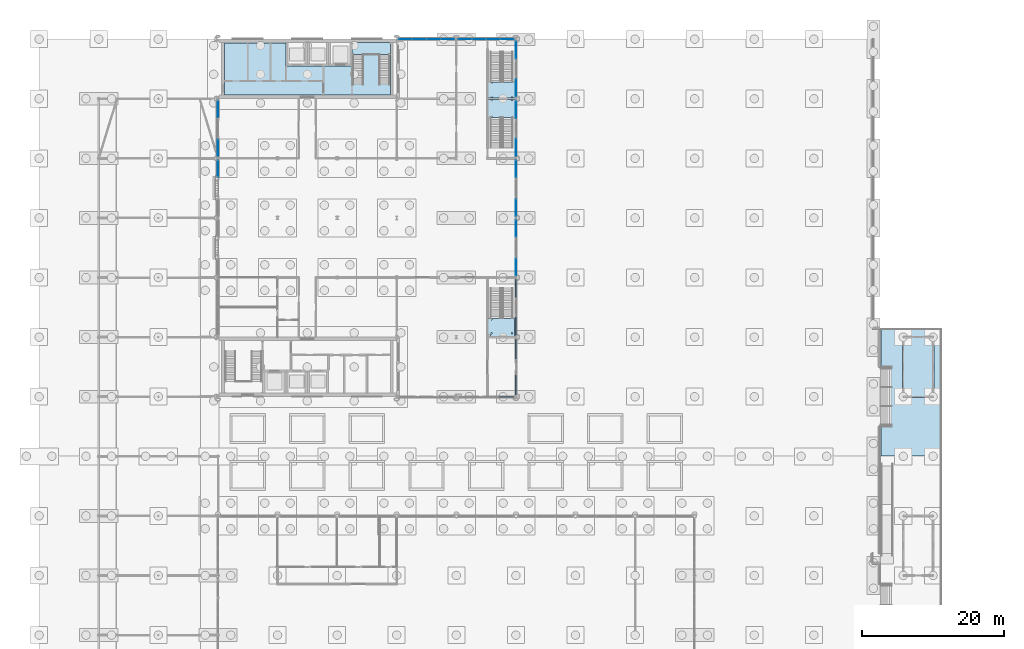
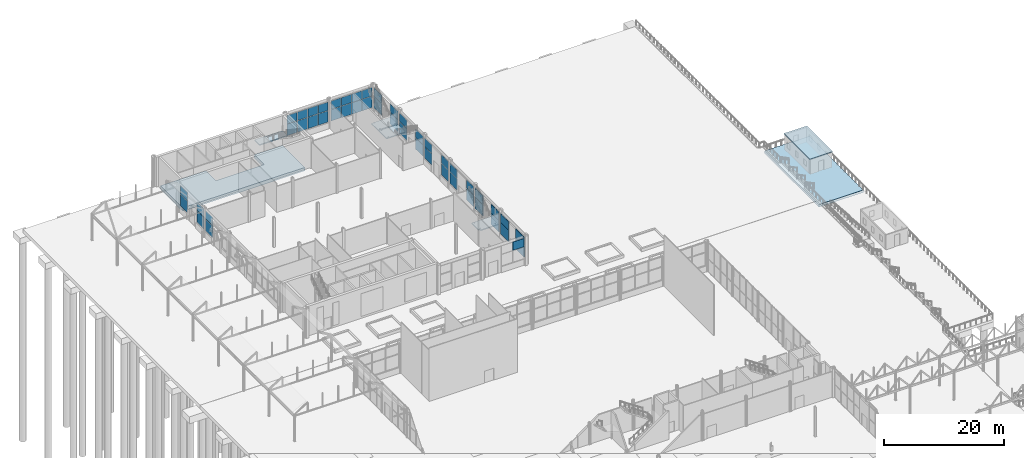
# One storey, part 178 of 212: 47 plates, 7 slabs, 22 elements without a shape of their own.
"""IFC4 building model written with IfcOpenShell, lengths in metres."""

import ifcopenshell
import ifcopenshell.guid

model = None  # the IFC model being written
_history = None  # IfcOwnerHistory: only IFC2X3 demands one
_inside = {}  # id of a spatial element -> (the spatial element, [elements in it])
_under = {}  # id of a project, library or spatial element -> (it, [spatial elements below it])
_declared = {}  # id of a project -> (the project, [libraries it declares])
_typed = {}  # id of a type object -> (the type object, [elements of that type])
_made_of = {}  # id of a material, layer set ... -> (it, [elements and type objects made of it])


def new_model(schema):
    """Start an empty IFC model of exactly this schema.

    Asked for "IFC4X3", IfcOpenShell would pick the latest addendum, in which some entities
    have other attributes; the version numbers below select the first issue.
    IFC2X3 requires an IfcOwnerHistory on every rooted entity: one is made here for all.
    """
    global model, _history
    if schema == "IFC4X3":
        model = ifcopenshell.file(schema_version=(4, 3, 0, 0))
    else:
        model = ifcopenshell.file(schema=schema)
    _inside.clear()
    _under.clear()
    _declared.clear()
    _typed.clear()
    _made_of.clear()
    _history = None
    if model.schema == "IFC2X3":
        org = make("IfcOrganization", Name="unknown")
        user = make(
            "IfcPersonAndOrganization",
            ThePerson=make("IfcPerson", FamilyName="unknown"),
            TheOrganization=org,
        )
        app = make(
            "IfcApplication",
            ApplicationDeveloper=org,
            Version="unknown",
            ApplicationFullName="unknown",
            ApplicationIdentifier="unknown",
        )
        _history = make(
            "IfcOwnerHistory",
            OwningUser=user,
            OwningApplication=app,
            ChangeAction="ADDED",
            CreationDate=0,
        )
    return model


def make(cls, **values):
    """One entity of the class cls with the attributes given. An attribute that is None is left unset."""
    return model.create_entity(
        cls, **{name: value for name, value in values.items() if value is not None}
    )


def rooted(cls, **values):
    """An entity with a GlobalId (a new one), such as an element, a storey or a relation."""
    return make(cls, GlobalId=ifcopenshell.guid.new(), OwnerHistory=_history, **values)


def si_unit(unit_type, name, prefix=None):
    """IfcSIUnit, for example si_unit("LENGTHUNIT", "METRE", prefix="MILLI")."""
    return make("IfcSIUnit", UnitType=unit_type, Prefix=prefix, Name=name)


def assignment(units):
    """IfcUnitAssignment: the units of a project."""
    return None if units is None else make("IfcUnitAssignment", Units=units)


def point(xyz):
    """IfcCartesianPoint."""
    return None if xyz is None else make("IfcCartesianPoint", Coordinates=xyz)


def direction(xyz):
    """IfcDirection."""
    return None if xyz is None else make("IfcDirection", DirectionRatios=xyz)


def frame(location, z_axis=None, x_axis=None):
    """IfcAxis2Placement3D, a coordinate frame: its origin and axes. An axis left out is left unset."""
    return make(
        "IfcAxis2Placement3D",
        Location=point(location),
        Axis=direction(z_axis),
        RefDirection=direction(x_axis),
    )


def frame_2d(location, x_axis=None):
    """IfcAxis2Placement2D, a coordinate frame in the plane: its origin and x axis."""
    return make(
        "IfcAxis2Placement2D", Location=point(location), RefDirection=direction(x_axis)
    )


def origin():
    """The frame at (0, 0, 0) with its axes left unset."""
    return frame((0.0, 0.0, 0.0))


def origin_2d():
    """The frame at (0, 0) in the plane with its x axis left unset."""
    return frame_2d((0.0, 0.0))


def place(relative_to, where):
    """IfcLocalPlacement: puts the frame where relative to a parent placement (None: the world)."""
    return make(
        "IfcLocalPlacement", PlacementRelTo=relative_to, RelativePlacement=where
    )


def context(
    kind, dimensions, precision=None, world=None, true_north=None, identifier=None
):
    """IfcGeometricRepresentationContext, for example the 3D "Model" context."""
    return make(
        "IfcGeometricRepresentationContext",
        ContextIdentifier=identifier,
        ContextType=kind,
        CoordinateSpaceDimension=dimensions,
        Precision=precision,
        WorldCoordinateSystem=world,
        TrueNorth=true_north,
    )


def subcontext(parent, identifier, kind, view, scale=None):
    """IfcGeometricRepresentationSubContext, for example "Body" below "Model"."""
    return make(
        "IfcGeometricRepresentationSubContext",
        ContextIdentifier=identifier,
        ContextType=kind,
        ParentContext=parent,
        TargetScale=scale,
        TargetView=view,
    )


def project(units=None, contexts=None):
    """IfcProject with its units and contexts."""
    return rooted(
        "IfcProject",
        Name="project",
        RepresentationContexts=contexts,
        UnitsInContext=assignment(units),
    )


def spatial(cls, under=None, at=None, **own):
    """A site, building, storey or space (cls), placed at a placement, below another one or the project."""
    s = rooted(cls, ObjectPlacement=at, **own)
    if under is not None:
        _under.setdefault(under.id(), (under, []))[1].append(s)
    return s


def polyline(points):
    """IfcPolyline through the points."""
    return make("IfcPolyline", Points=[point(p) for p in points])


def profile(cls, at=None, kind="AREA", **sizes):
    """A parametric profile (cls). Its sizes go by their IFC names, for example OverallWidth=200.0."""
    return make(cls, ProfileType=kind, Position=at, **sizes)


def rectangle(**sizes):
    """IfcRectangleProfileDef."""
    return profile("IfcRectangleProfileDef", **sizes)


def outline(outer, holes=None, kind="AREA"):
    """IfcArbitraryClosedProfileDef: a profile drawn as a closed curve; with holes, ...WithVoids."""
    if holes is None:
        return make("IfcArbitraryClosedProfileDef", ProfileType=kind, OuterCurve=outer)
    return make(
        "IfcArbitraryProfileDefWithVoids",
        ProfileType=kind,
        OuterCurve=outer,
        InnerCurves=holes,
    )


def extrude(swept, where, along, depth):
    """IfcExtrudedAreaSolid: the profile swept, set in the frame where, extruded along a direction by depth."""
    return make(
        "IfcExtrudedAreaSolid",
        SweptArea=swept,
        Position=where,
        ExtrudedDirection=direction(along),
        Depth=depth,
    )


def shape(context_of_items, identifier, shape_type, items):
    """IfcShapeRepresentation: the items that make up one representation, for example the "Body"."""
    return make(
        "IfcShapeRepresentation",
        ContextOfItems=context_of_items,
        RepresentationIdentifier=identifier,
        RepresentationType=shape_type,
        Items=items,
    )


def material(Name=None, Category=None):
    """IfcMaterial."""
    return make("IfcMaterial", Name=Name, Category=Category)


def layer(
    of_material, thickness, ventilated=None, Name=None, Category=None, Priority=None
):
    """IfcMaterialLayer: one layer of a wall or slab, of a material (None: an air gap)."""
    return make(
        "IfcMaterialLayer",
        Material=of_material,
        LayerThickness=thickness,
        IsVentilated=ventilated,
        Name=Name,
        Category=Category,
        Priority=Priority,
    )


def layer_set(layers, Name=None):
    """IfcMaterialLayerSet."""
    return make("IfcMaterialLayerSet", MaterialLayers=layers, LayerSetName=Name)


def made_of(thing, what):
    """Note that an element or type object is made of a material, layer set ...; save() writes the relation."""
    if what is not None:
        _made_of.setdefault(what.id(), (what, []))[1].append(thing)
    return thing


def type_object(cls, material=None, **own):
    """A type object (cls), such as IfcWallType, which elements share."""
    return made_of(rooted(cls, **own), material)


def element(
    cls,
    number,
    at=None,
    inside=None,
    cuts=None,
    type_object=None,
    material=None,
    context=None,
    identifier="Body",
    shape_type=None,
    held_by="IfcProductDefinitionShape",
    body=None,
    shapes=None,
    **own,
):
    """One element of the class cls, such as IfcWall. Its Tag is "e" and its number.

    at: its placement. inside: the storey or other place that contains it. cuts: it is an
    opening in that element (IfcRelVoidsElement). A single representation is given by context,
    identifier, shape_type and body (its items); several are given by shapes. held_by: the class
    of the entity that holds the representations. save() writes the other relations.
    """
    e = rooted(cls, Tag="e%d" % number, ObjectPlacement=at, **own)
    if body is not None:
        shapes = [shape(context, identifier, shape_type, body)]
    if shapes is not None:
        e.Representation = make(held_by, Representations=shapes)
    if inside is not None:
        _inside.setdefault(inside.id(), (inside, []))[1].append(e)
    if cuts is not None:
        rooted(
            "IfcRelVoidsElement", RelatingBuildingElement=cuts, RelatedOpeningElement=e
        )
    if type_object is not None:
        _typed.setdefault(type_object.id(), (type_object, []))[1].append(e)
    return made_of(e, material)


def aggregate(whole, parts):
    """IfcRelAggregates: a whole, such as a stair, and the parts it consists of."""
    return rooted("IfcRelAggregates", RelatingObject=whole, RelatedObjects=parts)


def save(model, path):
    """Write the relations noted so far, then the file.

    IfcRelAggregates (storeys below a building ...), IfcRelContainedInSpatialStructure (elements
    in a storey), IfcRelDefinesByType, IfcRelAssociatesMaterial and IfcRelDeclares: one each for
    every whole, place, type object, material and project.
    """
    for whole, parts in _under.values():
        aggregate(whole, parts)
    for where, things in _inside.values():
        rooted(
            "IfcRelContainedInSpatialStructure",
            RelatedElements=things,
            RelatingStructure=where,
        )
    for kind, things in _typed.values():
        rooted("IfcRelDefinesByType", RelatedObjects=things, RelatingType=kind)
    for what, things in _made_of.values():
        rooted("IfcRelAssociatesMaterial", RelatedObjects=things, RelatingMaterial=what)
    for by, libraries in _declared.values():
        rooted("IfcRelDeclares", RelatingContext=by, RelatedDefinitions=libraries)
    model.write(path)


model = new_model("IFC4")

# Units and contexts
model_context = context("Model", 3, precision=1e-05, world=origin(), true_north=direction((0.0, 1.0)))
body_context = subcontext(model_context, "Body", "Model", "MODEL_VIEW")
ifc_project = project(units=[si_unit("LENGTHUNIT", "METRE"), si_unit("AREAUNIT", "SQUARE_METRE"), si_unit("VOLUMEUNIT", "CUBIC_METRE"), si_unit("PLANEANGLEUNIT", "RADIAN"), si_unit("MASSUNIT", "GRAM", prefix="KILO")], contexts=[model_context])

# Site, building, storey
site_placement = place(None, origin())
site = spatial("IfcSite", under=ifc_project, at=site_placement, CompositionType="ELEMENT")
building_placement = place(site_placement, origin())
building = spatial("IfcBuilding", under=site, at=building_placement, Name="Catenary Quay Ferry Terminal", CompositionType="ELEMENT")
storey_placement = place(building_placement, origin())
storey = spatial("IfcBuildingStorey", under=building, at=storey_placement, Name="L00", CompositionType="ELEMENT", Elevation=0.0)

# Curtain wall, plates
ifc_material_1 = material(Name="Aluminium and glass", Category="aluminium")
curtain_wall_type_1 = type_object("IfcCurtainWallType", Name="CWW1", PredefinedType="NOTDEFINED", material=ifc_material_1)
curtain_wall_1_placement = place(storey_placement, origin())
curtain_wall_1 = element("IfcCurtainWall", 1, at=curtain_wall_1_placement, inside=storey, type_object=curtain_wall_type_1, Name="Wing curtain wall CW96", PredefinedType="NOTDEFINED")
ifc_material_2 = material(Name="Glass", Category="glass")
ifc_layer_1 = layer(ifc_material_2, 0.0400390625)
ifc_layer_set_1 = layer_set([ifc_layer_1], Name="PN2")
plate_type_1 = type_object("IfcPlateType", Name="PN2", PredefinedType="CURTAIN_PANEL", material=ifc_layer_set_1)
plate_1_placement = place(storey_placement, frame((67.199951171875, 177.85009765625, 1.260009765625), z_axis=(0.0, 0.0, 1.0), x_axis=(0.0, 1.0, 0.0)))
plate_1 = element("IfcPlate", 2, at=plate_1_placement, type_object=plate_type_1, Name="CW96 panel 1.1", PredefinedType="CURTAIN_PANEL", context=body_context, shape_type="SweptSolid", body=[
    extrude(rectangle(XDim=2.360107421875, YDim=0.0400390625, at=origin_2d()), origin(), (0.0, 0.0, 1.0), 2.31005859375),
])
plate_2_placement = place(storey_placement, frame((67.199951171875, 177.85009765625, 3.630126953125), z_axis=(0.0, 0.0, 1.0), x_axis=(0.0, 1.0, 0.0)))
plate_2 = element("IfcPlate", 3, at=plate_2_placement, type_object=plate_type_1, Name="CW96 panel 1.2", PredefinedType="CURTAIN_PANEL", context=body_context, shape_type="SweptSolid", body=[
    extrude(rectangle(XDim=2.360107421875, YDim=0.0400390625, at=origin_2d()), origin(), (0.0, 0.0, 1.0), 1.7099609375),
])
aggregate(curtain_wall_1, [plate_1, plate_2])

curtain_wall_2_placement = place(storey_placement, origin())
curtain_wall_2 = element("IfcCurtainWall", 4, at=curtain_wall_2_placement, inside=storey, type_object=curtain_wall_type_1, Name="Wing curtain wall CW97", PredefinedType="NOTDEFINED")
plate_3_placement = place(storey_placement, frame((67.199951171875, 183.35009765625, 1.260009765625), z_axis=(0.0, 0.0, 1.0), x_axis=(0.0, 1.0, 0.0)))
plate_3 = element("IfcPlate", 5, at=plate_3_placement, type_object=plate_type_1, Name="CW97 panel 1.1", PredefinedType="CURTAIN_PANEL", context=body_context, shape_type="SweptSolid", body=[
    extrude(rectangle(XDim=2.360107421875, YDim=0.0400390625, at=origin_2d()), origin(), (0.0, 0.0, 1.0), 2.31005859375),
])
plate_4_placement = place(storey_placement, frame((67.199951171875, 183.35009765625, 3.630126953125), z_axis=(0.0, 0.0, 1.0), x_axis=(0.0, 1.0, 0.0)))
plate_4 = element("IfcPlate", 6, at=plate_4_placement, type_object=plate_type_1, Name="CW97 panel 1.2", PredefinedType="CURTAIN_PANEL", context=body_context, shape_type="SweptSolid", body=[
    extrude(rectangle(XDim=2.360107421875, YDim=0.0400390625, at=origin_2d()), origin(), (0.0, 0.0, 1.0), 1.7099609375),
])
aggregate(curtain_wall_2, [plate_3, plate_4])

curtain_wall_3_placement = place(storey_placement, origin())
curtain_wall_3 = element("IfcCurtainWall", 7, at=curtain_wall_3_placement, inside=storey, type_object=curtain_wall_type_1, Name="Wing curtain wall CW98", PredefinedType="NOTDEFINED")
plate_5_placement = place(storey_placement, frame((67.199951171875, 186.25, 1.260009765625), z_axis=(0.0, 0.0, 1.0), x_axis=(0.0, 1.0, 0.0)))
plate_5 = element("IfcPlate", 8, at=plate_5_placement, type_object=plate_type_1, Name="CW98 panel 1.1", PredefinedType="CURTAIN_PANEL", context=body_context, shape_type="SweptSolid", body=[
    extrude(rectangle(XDim=2.360107421875, YDim=0.0400390625, at=origin_2d()), origin(), (0.0, 0.0, 1.0), 2.31005859375),
])
plate_6_placement = place(storey_placement, frame((67.199951171875, 186.25, 3.630126953125), z_axis=(0.0, 0.0, 1.0), x_axis=(0.0, 1.0, 0.0)))
plate_6 = element("IfcPlate", 9, at=plate_6_placement, type_object=plate_type_1, Name="CW98 panel 1.2", PredefinedType="CURTAIN_PANEL", context=body_context, shape_type="SweptSolid", body=[
    extrude(rectangle(XDim=2.360107421875, YDim=0.0400390625, at=origin_2d()), origin(), (0.0, 0.0, 1.0), 1.7099609375),
])
aggregate(curtain_wall_3, [plate_5, plate_6])

curtain_wall_4_placement = place(storey_placement, origin())
curtain_wall_4 = element("IfcCurtainWall", 10, at=curtain_wall_4_placement, inside=storey, type_object=curtain_wall_type_1, Name="Wing curtain wall CW99", PredefinedType="NOTDEFINED")
plate_7_placement = place(storey_placement, frame((67.199951171875, 191.75, 1.260009765625), z_axis=(0.0, 0.0, 1.0), x_axis=(0.0, 1.0, 0.0)))
plate_7 = element("IfcPlate", 11, at=plate_7_placement, type_object=plate_type_1, Name="CW99 panel 1.1", PredefinedType="CURTAIN_PANEL", context=body_context, shape_type="SweptSolid", body=[
    extrude(rectangle(XDim=2.360107421875, YDim=0.0400390625, at=origin_2d()), origin(), (0.0, 0.0, 1.0), 2.31005859375),
])
plate_8_placement = place(storey_placement, frame((67.199951171875, 191.75, 3.630126953125), z_axis=(0.0, 0.0, 1.0), x_axis=(0.0, 1.0, 0.0)))
plate_8 = element("IfcPlate", 12, at=plate_8_placement, type_object=plate_type_1, Name="CW99 panel 1.2", PredefinedType="CURTAIN_PANEL", context=body_context, shape_type="SweptSolid", body=[
    extrude(rectangle(XDim=2.360107421875, YDim=0.0400390625, at=origin_2d()), origin(), (0.0, 0.0, 1.0), 1.7099609375),
])
aggregate(curtain_wall_4, [plate_7, plate_8])

curtain_wall_5_placement = place(storey_placement, origin())
curtain_wall_5 = element("IfcCurtainWall", 13, at=curtain_wall_5_placement, inside=storey, type_object=curtain_wall_type_1, Name="Wing curtain wall CW100", PredefinedType="NOTDEFINED")
plate_9_placement = place(storey_placement, frame((67.199951171875, 194.72509765625, 1.260009765625), z_axis=(0.0, 0.0, 1.0), x_axis=(0.0, 1.0, 0.0)))
plate_9 = element("IfcPlate", 14, at=plate_9_placement, type_object=plate_type_1, Name="CW100 panel 1.1", PredefinedType="CURTAIN_PANEL", context=body_context, shape_type="SweptSolid", body=[
    extrude(rectangle(XDim=2.510009765625, YDim=0.0400390625, at=origin_2d()), origin(), (0.0, 0.0, 1.0), 2.31005859375),
])
plate_10_placement = place(storey_placement, frame((67.199951171875, 194.72509765625, 3.630126953125), z_axis=(0.0, 0.0, 1.0), x_axis=(0.0, 1.0, 0.0)))
plate_10 = element("IfcPlate", 15, at=plate_10_placement, type_object=plate_type_1, Name="CW100 panel 1.2", PredefinedType="CURTAIN_PANEL", context=body_context, shape_type="SweptSolid", body=[
    extrude(rectangle(XDim=2.510009765625, YDim=0.0400390625, at=origin_2d()), origin(), (0.0, 0.0, 1.0), 1.7099609375),
])
aggregate(curtain_wall_5, [plate_9, plate_10])

curtain_wall_6_placement = place(storey_placement, origin())
curtain_wall_6 = element("IfcCurtainWall", 16, at=curtain_wall_6_placement, inside=storey, type_object=curtain_wall_type_1, Name="Wing curtain wall CW101", PredefinedType="NOTDEFINED")
plate_11_placement = place(storey_placement, frame((67.199951171875, 200.074951171875, 1.260009765625), z_axis=(0.0, 0.0, 1.0), x_axis=(0.0, 1.0, 0.0)))
plate_11 = element("IfcPlate", 17, at=plate_11_placement, type_object=plate_type_1, Name="CW101 panel 1.1", PredefinedType="CURTAIN_PANEL", context=body_context, shape_type="SweptSolid", body=[
    extrude(rectangle(XDim=2.510009765625, YDim=0.0400390625, at=origin_2d()), origin(), (0.0, 0.0, 1.0), 2.31005859375),
])
plate_12_placement = place(storey_placement, frame((67.199951171875, 200.074951171875, 3.630126953125), z_axis=(0.0, 0.0, 1.0), x_axis=(0.0, 1.0, 0.0)))
plate_12 = element("IfcPlate", 18, at=plate_12_placement, type_object=plate_type_1, Name="CW101 panel 1.2", PredefinedType="CURTAIN_PANEL", context=body_context, shape_type="SweptSolid", body=[
    extrude(rectangle(XDim=2.510009765625, YDim=0.0400390625, at=origin_2d()), origin(), (0.0, 0.0, 1.0), 1.7099609375),
])
aggregate(curtain_wall_6, [plate_11, plate_12])

curtain_wall_7_placement = place(storey_placement, origin())
curtain_wall_7 = element("IfcCurtainWall", 19, at=curtain_wall_7_placement, inside=storey, type_object=curtain_wall_type_1, Name="Wing curtain wall CW102", PredefinedType="NOTDEFINED")
plate_13_placement = place(storey_placement, frame((67.199951171875, 203.125, 1.260009765625), z_axis=(0.0, 0.0, 1.0), x_axis=(0.0, 1.0, 0.0)))
plate_13 = element("IfcPlate", 20, at=plate_13_placement, type_object=plate_type_1, Name="CW102 panel 1.1", PredefinedType="CURTAIN_PANEL", context=body_context, shape_type="SweptSolid", body=[
    extrude(rectangle(XDim=2.510009765625, YDim=0.0400390625, at=origin_2d()), origin(), (0.0, 0.0, 1.0), 2.31005859375),
])
plate_14_placement = place(storey_placement, frame((67.199951171875, 203.125, 3.630126953125), z_axis=(0.0, 0.0, 1.0), x_axis=(0.0, 1.0, 0.0)))
plate_14 = element("IfcPlate", 21, at=plate_14_placement, type_object=plate_type_1, Name="CW102 panel 1.2", PredefinedType="CURTAIN_PANEL", context=body_context, shape_type="SweptSolid", body=[
    extrude(rectangle(XDim=2.510009765625, YDim=0.0400390625, at=origin_2d()), origin(), (0.0, 0.0, 1.0), 1.7099609375),
])
aggregate(curtain_wall_7, [plate_13, plate_14])

curtain_wall_8_placement = place(storey_placement, origin())
curtain_wall_8 = element("IfcCurtainWall", 22, at=curtain_wall_8_placement, inside=storey, type_object=curtain_wall_type_1, Name="Wing curtain wall CW103", PredefinedType="NOTDEFINED")
plate_15_placement = place(storey_placement, frame((67.199951171875, 208.47509765625, 1.260009765625), z_axis=(0.0, 0.0, 1.0), x_axis=(0.0, 1.0, 0.0)))
plate_15 = element("IfcPlate", 23, at=plate_15_placement, type_object=plate_type_1, Name="CW103 panel 1.1", PredefinedType="CURTAIN_PANEL", context=body_context, shape_type="SweptSolid", body=[
    extrude(rectangle(XDim=2.510009765625, YDim=0.0400390625, at=origin_2d()), origin(), (0.0, 0.0, 1.0), 2.31005859375),
])
plate_16_placement = place(storey_placement, frame((67.199951171875, 208.47509765625, 3.630126953125), z_axis=(0.0, 0.0, 1.0), x_axis=(0.0, 1.0, 0.0)))
plate_16 = element("IfcPlate", 24, at=plate_16_placement, type_object=plate_type_1, Name="CW103 panel 1.2", PredefinedType="CURTAIN_PANEL", context=body_context, shape_type="SweptSolid", body=[
    extrude(rectangle(XDim=2.510009765625, YDim=0.0400390625, at=origin_2d()), origin(), (0.0, 0.0, 1.0), 1.7099609375),
])
aggregate(curtain_wall_8, [plate_15, plate_16])

curtain_wall_9_placement = place(storey_placement, origin())
curtain_wall_9 = element("IfcCurtainWall", 25, at=curtain_wall_9_placement, inside=storey, type_object=curtain_wall_type_1, Name="Wing curtain wall CW104", PredefinedType="NOTDEFINED")
plate_17_placement = place(storey_placement, frame((51.617431640625, 210.0, 1.260009765625), z_axis=(0.0, 0.0, 1.0), x_axis=(1.0, 0.0, 0.0)))
plate_17 = element("IfcPlate", 26, at=plate_17_placement, type_object=plate_type_1, Name="CW104 panel 1.1", PredefinedType="CURTAIN_PANEL", context=body_context, shape_type="SweptSolid", body=[
    extrude(rectangle(XDim=1.89501953125, YDim=0.0400390625, at=origin_2d()), origin(), (0.0, 0.0, 1.0), 2.31005859375),
])
plate_18_placement = place(storey_placement, frame((51.617431640625, 210.0, 3.630126953125), z_axis=(0.0, 0.0, 1.0), x_axis=(1.0, 0.0, 0.0)))
plate_18 = element("IfcPlate", 27, at=plate_18_placement, type_object=plate_type_1, Name="CW104 panel 1.2", PredefinedType="CURTAIN_PANEL", context=body_context, shape_type="SweptSolid", body=[
    extrude(rectangle(XDim=1.89501953125, YDim=0.0400390625, at=origin_2d()), origin(), (0.0, 0.0, 1.0), 1.7099609375),
])
plate_19_placement = place(storey_placement, frame((53.60009765625, 210.0, 1.260009765625), z_axis=(0.0, 0.0, 1.0), x_axis=(1.0, 0.0, 0.0)))
plate_19 = element("IfcPlate", 28, at=plate_19_placement, type_object=plate_type_1, Name="CW104 panel 2.1", PredefinedType="CURTAIN_PANEL", context=body_context, shape_type="SweptSolid", body=[
    extrude(rectangle(XDim=1.929931640625, YDim=0.0400390625, at=origin_2d()), origin(), (0.0, 0.0, 1.0), 2.31005859375),
])
plate_20_placement = place(storey_placement, frame((53.60009765625, 210.0, 3.630126953125), z_axis=(0.0, 0.0, 1.0), x_axis=(1.0, 0.0, 0.0)))
plate_20 = element("IfcPlate", 29, at=plate_20_placement, type_object=plate_type_1, Name="CW104 panel 2.2", PredefinedType="CURTAIN_PANEL", context=body_context, shape_type="SweptSolid", body=[
    extrude(rectangle(XDim=1.929931640625, YDim=0.0400390625, at=origin_2d()), origin(), (0.0, 0.0, 1.0), 1.7099609375),
])
plate_21_placement = place(storey_placement, frame((55.60009765625, 210.0, 1.260009765625), z_axis=(0.0, 0.0, 1.0), x_axis=(1.0, 0.0, 0.0)))
plate_21 = element("IfcPlate", 30, at=plate_21_placement, type_object=plate_type_1, Name="CW104 panel 3.1", PredefinedType="CURTAIN_PANEL", context=body_context, shape_type="SweptSolid", body=[
    extrude(rectangle(XDim=1.929931640625, YDim=0.0400390625, at=origin_2d()), origin(), (0.0, 0.0, 1.0), 2.31005859375),
])
plate_22_placement = place(storey_placement, frame((55.60009765625, 210.0, 3.630126953125), z_axis=(0.0, 0.0, 1.0), x_axis=(1.0, 0.0, 0.0)))
plate_22 = element("IfcPlate", 31, at=plate_22_placement, type_object=plate_type_1, Name="CW104 panel 3.2", PredefinedType="CURTAIN_PANEL", context=body_context, shape_type="SweptSolid", body=[
    extrude(rectangle(XDim=1.929931640625, YDim=0.0400390625, at=origin_2d()), origin(), (0.0, 0.0, 1.0), 1.7099609375),
])
plate_23_placement = place(storey_placement, frame((57.58251953125, 210.0, 1.260009765625), z_axis=(0.0, 0.0, 1.0), x_axis=(1.0, 0.0, 0.0)))
plate_23 = element("IfcPlate", 32, at=plate_23_placement, type_object=plate_type_1, Name="CW104 panel 4.1", PredefinedType="CURTAIN_PANEL", context=body_context, shape_type="SweptSolid", body=[
    extrude(rectangle(XDim=1.89501953125, YDim=0.0400390625, at=origin_2d()), origin(), (0.0, 0.0, 1.0), 2.31005859375),
])
plate_24_placement = place(storey_placement, frame((57.58251953125, 210.0, 3.630126953125), z_axis=(0.0, 0.0, 1.0), x_axis=(1.0, 0.0, 0.0)))
plate_24 = element("IfcPlate", 33, at=plate_24_placement, type_object=plate_type_1, Name="CW104 panel 4.2", PredefinedType="CURTAIN_PANEL", context=body_context, shape_type="SweptSolid", body=[
    extrude(rectangle(XDim=1.89501953125, YDim=0.0400390625, at=origin_2d()), origin(), (0.0, 0.0, 1.0), 1.7099609375),
])
aggregate(curtain_wall_9, [plate_17, plate_18, plate_19, plate_20, plate_21, plate_22, plate_23, plate_24])

curtain_wall_10_placement = place(storey_placement, origin())
curtain_wall_10 = element("IfcCurtainWall", 34, at=curtain_wall_10_placement, inside=storey, type_object=curtain_wall_type_1, Name="Wing curtain wall CW105", PredefinedType="NOTDEFINED")
plate_25_placement = place(storey_placement, frame((60.017578125, 210.0, 1.260009765625), z_axis=(0.0, 0.0, 1.0), x_axis=(1.0, 0.0, 0.0)))
plate_25 = element("IfcPlate", 35, at=plate_25_placement, type_object=plate_type_1, Name="CW105 panel 1.1", PredefinedType="CURTAIN_PANEL", context=body_context, shape_type="SweptSolid", body=[
    extrude(rectangle(XDim=1.89501953125, YDim=0.0400390625, at=origin_2d()), origin(), (0.0, 0.0, 1.0), 2.31005859375),
])
plate_26_placement = place(storey_placement, frame((60.017578125, 210.0, 3.630126953125), z_axis=(0.0, 0.0, 1.0), x_axis=(1.0, 0.0, 0.0)))
plate_26 = element("IfcPlate", 36, at=plate_26_placement, type_object=plate_type_1, Name="CW105 panel 1.2", PredefinedType="CURTAIN_PANEL", context=body_context, shape_type="SweptSolid", body=[
    extrude(rectangle(XDim=1.89501953125, YDim=0.0400390625, at=origin_2d()), origin(), (0.0, 0.0, 1.0), 1.7099609375),
])
plate_27_placement = place(storey_placement, frame((62.0, 210.0, 1.260009765625), z_axis=(0.0, 0.0, 1.0), x_axis=(1.0, 0.0, 0.0)))
plate_27 = element("IfcPlate", 37, at=plate_27_placement, type_object=plate_type_1, Name="CW105 panel 2.1", PredefinedType="CURTAIN_PANEL", context=body_context, shape_type="SweptSolid", body=[
    extrude(rectangle(XDim=1.929931640625, YDim=0.0400390625, at=origin_2d()), origin(), (0.0, 0.0, 1.0), 2.31005859375),
])
plate_28_placement = place(storey_placement, frame((62.0, 210.0, 3.630126953125), z_axis=(0.0, 0.0, 1.0), x_axis=(1.0, 0.0, 0.0)))
plate_28 = element("IfcPlate", 38, at=plate_28_placement, type_object=plate_type_1, Name="CW105 panel 2.2", PredefinedType="CURTAIN_PANEL", context=body_context, shape_type="SweptSolid", body=[
    extrude(rectangle(XDim=1.929931640625, YDim=0.0400390625, at=origin_2d()), origin(), (0.0, 0.0, 1.0), 1.7099609375),
])
plate_29_placement = place(storey_placement, frame((64.0, 210.0, 1.260009765625), z_axis=(0.0, 0.0, 1.0), x_axis=(1.0, 0.0, 0.0)))
plate_29 = element("IfcPlate", 39, at=plate_29_placement, type_object=plate_type_1, Name="CW105 panel 3.1", PredefinedType="CURTAIN_PANEL", context=body_context, shape_type="SweptSolid", body=[
    extrude(rectangle(XDim=1.929931640625, YDim=0.0400390625, at=origin_2d()), origin(), (0.0, 0.0, 1.0), 2.31005859375),
])
plate_30_placement = place(storey_placement, frame((64.0, 210.0, 3.630126953125), z_axis=(0.0, 0.0, 1.0), x_axis=(1.0, 0.0, 0.0)))
plate_30 = element("IfcPlate", 40, at=plate_30_placement, type_object=plate_type_1, Name="CW105 panel 3.2", PredefinedType="CURTAIN_PANEL", context=body_context, shape_type="SweptSolid", body=[
    extrude(rectangle(XDim=1.929931640625, YDim=0.0400390625, at=origin_2d()), origin(), (0.0, 0.0, 1.0), 1.7099609375),
])
plate_31_placement = place(storey_placement, frame((65.982421875, 210.0, 1.260009765625), z_axis=(0.0, 0.0, 1.0), x_axis=(1.0, 0.0, 0.0)))
plate_31 = element("IfcPlate", 41, at=plate_31_placement, type_object=plate_type_1, Name="CW105 panel 4.1", PredefinedType="CURTAIN_PANEL", context=body_context, shape_type="SweptSolid", body=[
    extrude(rectangle(XDim=1.89501953125, YDim=0.0400390625, at=origin_2d()), origin(), (0.0, 0.0, 1.0), 2.31005859375),
])
plate_32_placement = place(storey_placement, frame((65.982421875, 210.0, 3.630126953125), z_axis=(0.0, 0.0, 1.0), x_axis=(1.0, 0.0, 0.0)))
plate_32 = element("IfcPlate", 42, at=plate_32_placement, type_object=plate_type_1, Name="CW105 panel 4.2", PredefinedType="CURTAIN_PANEL", context=body_context, shape_type="SweptSolid", body=[
    extrude(rectangle(XDim=1.89501953125, YDim=0.0400390625, at=origin_2d()), origin(), (0.0, 0.0, 1.0), 1.7099609375),
])
aggregate(curtain_wall_10, [plate_25, plate_26, plate_27, plate_28, plate_29, plate_30, plate_31, plate_32])

curtain_wall_11_placement = place(storey_placement, origin())
curtain_wall_11 = element("IfcCurtainWall", 43, at=curtain_wall_11_placement, inside=storey, type_object=curtain_wall_type_1, Name="Wing curtain wall CW110", PredefinedType="NOTDEFINED")
plate_33_placement = place(storey_placement, frame((25.199951171875, 191.75, 1.260009765625), z_axis=(0.0, 0.0, 1.0), x_axis=(0.0, 1.0, 0.0)))
plate_33 = element("IfcPlate", 44, at=plate_33_placement, type_object=plate_type_1, Name="CW110 panel 1.1", PredefinedType="CURTAIN_PANEL", context=body_context, shape_type="SweptSolid", body=[
    extrude(rectangle(XDim=2.360107421875, YDim=0.0400390625, at=origin_2d()), origin(), (0.0, 0.0, 1.0), 2.31005859375),
])
plate_34_placement = place(storey_placement, frame((25.199951171875, 191.75, 3.630126953125), z_axis=(0.0, 0.0, 1.0), x_axis=(0.0, 1.0, 0.0)))
plate_34 = element("IfcPlate", 45, at=plate_34_placement, type_object=plate_type_1, Name="CW110 panel 1.2", PredefinedType="CURTAIN_PANEL", context=body_context, shape_type="SweptSolid", body=[
    extrude(rectangle(XDim=2.360107421875, YDim=0.0400390625, at=origin_2d()), origin(), (0.0, 0.0, 1.0), 1.7099609375),
])
aggregate(curtain_wall_11, [plate_33, plate_34])

curtain_wall_12_placement = place(storey_placement, origin())
curtain_wall_12 = element("IfcCurtainWall", 46, at=curtain_wall_12_placement, inside=storey, type_object=curtain_wall_type_1, Name="Wing curtain wall CW111", PredefinedType="NOTDEFINED")
plate_35_placement = place(storey_placement, frame((25.199951171875, 194.64990234375, 1.260009765625), z_axis=(0.0, 0.0, 1.0), x_axis=(0.0, 1.0, 0.0)))
plate_35 = element("IfcPlate", 47, at=plate_35_placement, type_object=plate_type_1, Name="CW111 panel 1.1", PredefinedType="CURTAIN_PANEL", context=body_context, shape_type="SweptSolid", body=[
    extrude(rectangle(XDim=2.360107421875, YDim=0.0400390625, at=origin_2d()), origin(), (0.0, 0.0, 1.0), 2.31005859375),
])
plate_36_placement = place(storey_placement, frame((25.199951171875, 194.64990234375, 3.630126953125), z_axis=(0.0, 0.0, 1.0), x_axis=(0.0, 1.0, 0.0)))
plate_36 = element("IfcPlate", 48, at=plate_36_placement, type_object=plate_type_1, Name="CW111 panel 1.2", PredefinedType="CURTAIN_PANEL", context=body_context, shape_type="SweptSolid", body=[
    extrude(rectangle(XDim=2.360107421875, YDim=0.0400390625, at=origin_2d()), origin(), (0.0, 0.0, 1.0), 1.7099609375),
])
aggregate(curtain_wall_12, [plate_35, plate_36])

curtain_wall_13_placement = place(storey_placement, origin())
curtain_wall_13 = element("IfcCurtainWall", 49, at=curtain_wall_13_placement, inside=storey, type_object=curtain_wall_type_1, Name="Wing curtain wall CW112", PredefinedType="NOTDEFINED")
plate_37_placement = place(storey_placement, frame((25.199951171875, 200.14990234375, 1.260009765625), z_axis=(0.0, 0.0, 1.0), x_axis=(0.0, 1.0, 0.0)))
plate_37 = element("IfcPlate", 50, at=plate_37_placement, type_object=plate_type_1, Name="CW112 panel 1.1", PredefinedType="CURTAIN_PANEL", context=body_context, shape_type="SweptSolid", body=[
    extrude(rectangle(XDim=2.360107421875, YDim=0.0400390625, at=origin_2d()), origin(), (0.0, 0.0, 1.0), 2.31005859375),
])
plate_38_placement = place(storey_placement, frame((25.199951171875, 200.14990234375, 3.630126953125), z_axis=(0.0, 0.0, 1.0), x_axis=(0.0, 1.0, 0.0)))
plate_38 = element("IfcPlate", 51, at=plate_38_placement, type_object=plate_type_1, Name="CW112 panel 1.2", PredefinedType="CURTAIN_PANEL", context=body_context, shape_type="SweptSolid", body=[
    extrude(rectangle(XDim=2.360107421875, YDim=0.0400390625, at=origin_2d()), origin(), (0.0, 0.0, 1.0), 1.7099609375),
])
aggregate(curtain_wall_13, [plate_37, plate_38])

ifc_material_3 = material(Name="Aluminium and glass", Category="aluminium")
curtain_wall_type_2 = type_object("IfcCurtainWallType", Name="CWW4", PredefinedType="NOTDEFINED", material=ifc_material_3)
curtain_wall_14_placement = place(storey_placement, origin())
curtain_wall_14 = element("IfcCurtainWall", 52, at=curtain_wall_14_placement, inside=storey, type_object=curtain_wall_type_2, Name="Wing curtain wall CW92", PredefinedType="NOTDEFINED")
ifc_material_4 = material(Name="Ceramic tile facing on insulated backing")
ifc_layer_2 = layer(ifc_material_4, 0.14990234375)
ifc_layer_set_2 = layer_set([ifc_layer_2], Name="PN7")
plate_type_2 = type_object("IfcPlateType", Name="PN7", PredefinedType="CURTAIN_PANEL", material=ifc_layer_set_2)
plate_39_placement = place(storey_placement, frame((67.199951171875, 161.25, 1.260009765625), z_axis=(0.0, 0.0, 1.0), x_axis=(0.0, 1.0, 0.0)))
plate_39 = element("IfcPlate", 53, at=plate_39_placement, type_object=plate_type_2, Name="CW92 panel 1.1", PredefinedType="CURTAIN_PANEL", context=body_context, shape_type="SweptSolid", body=[
    extrude(rectangle(XDim=2.760009765625, YDim=0.14990234375, at=origin_2d()), origin(), (0.0, 0.0, 1.0), 2.31005859375),
])
plate_40_placement = place(storey_placement, frame((67.199951171875, 161.25, 3.630126953125), z_axis=(0.0, 0.0, 1.0), x_axis=(0.0, 1.0, 0.0)))
plate_40 = element("IfcPlate", 54, at=plate_40_placement, type_object=plate_type_2, Name="CW92 panel 1.2", PredefinedType="CURTAIN_PANEL", context=body_context, shape_type="SweptSolid", body=[
    extrude(rectangle(XDim=2.760009765625, YDim=0.14990234375, at=origin_2d()), origin(), (0.0, 0.0, 1.0), 1.7099609375),
])
aggregate(curtain_wall_14, [plate_39, plate_40])

curtain_wall_15_placement = place(storey_placement, origin())
curtain_wall_15 = element("IfcCurtainWall", 55, at=curtain_wall_15_placement, inside=storey, type_object=curtain_wall_type_2, Name="Wing curtain wall CW93", PredefinedType="NOTDEFINED")
plate_41_placement = place(storey_placement, frame((67.199951171875, 166.35009765625, 1.260009765625), z_axis=(0.0, 0.0, 1.0), x_axis=(0.0, 1.0, 0.0)))
plate_41 = element("IfcPlate", 56, at=plate_41_placement, type_object=plate_type_2, Name="CW93 panel 1.1", PredefinedType="CURTAIN_PANEL", context=body_context, shape_type="SweptSolid", body=[
    extrude(rectangle(XDim=2.760009765625, YDim=0.14990234375, at=origin_2d()), origin(), (0.0, 0.0, 1.0), 2.31005859375),
])
plate_42_placement = place(storey_placement, frame((67.199951171875, 166.35009765625, 3.630126953125), z_axis=(0.0, 0.0, 1.0), x_axis=(0.0, 1.0, 0.0)))
plate_42 = element("IfcPlate", 57, at=plate_42_placement, type_object=plate_type_2, Name="CW93 panel 1.2", PredefinedType="CURTAIN_PANEL", context=body_context, shape_type="SweptSolid", body=[
    extrude(rectangle(XDim=2.760009765625, YDim=0.14990234375, at=origin_2d()), origin(), (0.0, 0.0, 1.0), 1.7099609375),
])
aggregate(curtain_wall_15, [plate_41, plate_42])

curtain_wall_16_placement = place(storey_placement, origin())
curtain_wall_16 = element("IfcCurtainWall", 58, at=curtain_wall_16_placement, inside=storey, type_object=curtain_wall_type_2, Name="Wing curtain wall CW94", PredefinedType="NOTDEFINED")
plate_43_placement = place(storey_placement, frame((67.199951171875, 169.52490234375, 1.260009765625), z_axis=(0.0, 0.0, 1.0), x_axis=(0.0, 1.0, 0.0)))
plate_43 = element("IfcPlate", 59, at=plate_43_placement, type_object=plate_type_2, Name="CW94 panel 1.1", PredefinedType="CURTAIN_PANEL", context=body_context, shape_type="SweptSolid", body=[
    extrude(rectangle(XDim=2.510009765625, YDim=0.14990234375, at=origin_2d()), origin(), (0.0, 0.0, 1.0), 2.31005859375),
])
plate_44_placement = place(storey_placement, frame((67.199951171875, 169.52490234375, 3.630126953125), z_axis=(0.0, 0.0, 1.0), x_axis=(0.0, 1.0, 0.0)))
plate_44 = element("IfcPlate", 60, at=plate_44_placement, type_object=plate_type_2, Name="CW94 panel 1.2", PredefinedType="CURTAIN_PANEL", context=body_context, shape_type="SweptSolid", body=[
    extrude(rectangle(XDim=2.510009765625, YDim=0.14990234375, at=origin_2d()), origin(), (0.0, 0.0, 1.0), 1.7099609375),
])
aggregate(curtain_wall_16, [plate_43, plate_44])

curtain_wall_17_placement = place(storey_placement, origin())
curtain_wall_17 = element("IfcCurtainWall", 61, at=curtain_wall_17_placement, inside=storey, type_object=curtain_wall_type_2, Name="Wing curtain wall CW95", PredefinedType="NOTDEFINED")
plate_45_placement = place(storey_placement, frame((67.199951171875, 174.875, 1.260009765625), z_axis=(0.0, 0.0, 1.0), x_axis=(0.0, 1.0, 0.0)))
plate_45 = element("IfcPlate", 62, at=plate_45_placement, type_object=plate_type_2, Name="CW95 panel 1.1", PredefinedType="CURTAIN_PANEL", context=body_context, shape_type="SweptSolid", body=[
    extrude(rectangle(XDim=2.510009765625, YDim=0.14990234375, at=origin_2d()), origin(), (0.0, 0.0, 1.0), 2.31005859375),
])
plate_46_placement = place(storey_placement, frame((67.199951171875, 174.875, 3.630126953125), z_axis=(0.0, 0.0, 1.0), x_axis=(0.0, 1.0, 0.0)))
plate_46 = element("IfcPlate", 63, at=plate_46_placement, type_object=plate_type_2, Name="CW95 panel 1.2", PredefinedType="CURTAIN_PANEL", context=body_context, shape_type="SweptSolid", body=[
    extrude(rectangle(XDim=2.510009765625, YDim=0.14990234375, at=origin_2d()), origin(), (0.0, 0.0, 1.0), 1.7099609375),
])
aggregate(curtain_wall_17, [plate_45, plate_46])

# Curtain wall, plate
curtain_wall_18_placement = place(storey_placement, origin())
curtain_wall_18 = element("IfcCurtainWall", 64, at=curtain_wall_18_placement, inside=storey, type_object=curtain_wall_type_2, Name="Wing curtain wall CW115", PredefinedType="NOTDEFINED")
plate_47_placement = place(storey_placement, frame((65.857421875, 159.60009765625, 3.630126953125), z_axis=(0.0, 0.0, 1.0), x_axis=(1.0, 0.0, 0.0)))
plate_47 = element("IfcPlate", 65, at=plate_47_placement, type_object=plate_type_2, Name="CW115 panel 2.2", PredefinedType="CURTAIN_PANEL", context=body_context, shape_type="SweptSolid", body=[
    extrude(rectangle(XDim=2.14501953125, YDim=0.14990234375, at=origin_2d()), origin(), (0.0, 0.0, 1.0), 1.7099609375),
])
aggregate(curtain_wall_18, [plate_47])

# Slabs
ifc_material_5 = material(Name="Concrete C35/45", Category="concrete")
ifc_layer_3 = layer(ifc_material_5, 0.14990234375)
ifc_layer_set_3 = layer_set([ifc_layer_3], Name="Pavilion roof slab 150")
slab_type_1 = type_object("IfcSlabType", Name="Pavilion roof slab 150", PredefinedType="ROOF", material=ifc_layer_set_3)
slab_1_placement = place(storey_placement, frame((0.0, 0.0, 2.10009765625)))
element("IfcSlab", 66, at=slab_1_placement, inside=storey, type_object=slab_type_1, Name="Riverside Ticketing Hall roof slab", PredefinedType="ROOF", context=body_context, shape_type="SweptSolid", body=[
    extrude(outline(polyline([(126.10009765625, 159.5), (126.10009765625, 168.10009765625), (121.699951171875, 168.10009765625), (121.699951171875, 159.5), (126.10009765625, 159.5)])), origin(), (0.0, 0.0, 1.0), 0.14990234375),
])
ifc_material_6 = material(Name="Concrete C35/45", Category="concrete")
ifc_layer_4 = layer(ifc_material_6, 0.699951171875)
ifc_layer_set_4 = layer_set([ifc_layer_4], Name="Quay deck slab 700")
slab_type_2 = type_object("IfcSlabType", Name="Quay deck slab 700", PredefinedType="BASESLAB", material=ifc_layer_set_4)
slab_2_placement = place(storey_placement, frame((0.0, 0.0, -0.699951171875)))
element("IfcSlab", 67, at=slab_2_placement, inside=storey, type_object=slab_type_2, Name="Quay deck panel P3 operations wing", PredefinedType="BASESLAB", context=body_context, shape_type="SweptSolid", body=[
    extrude(outline(polyline([(26.110107421875, 209.489990234375), (34.800048828125, 209.489990234375), (34.800048828125, 206.199951171875), (37.800048828125, 206.199951171875), (40.800048828125, 206.199951171875), (44.10009765625, 206.199951171875), (44.10009765625, 209.489990234375), (49.489990234375, 209.489990234375), (49.489990234375, 202.110107421875), (26.110107421875, 202.110107421875), (26.110107421875, 209.489990234375)])), origin(), (0.0, 0.0, 1.0), 0.699951171875),
])
ifc_material_7 = material(Name="Concrete C35/45", Category="concrete")
ifc_layer_5 = layer(ifc_material_7, 0.5)
ifc_layer_set_5 = layer_set([ifc_layer_5], Name="River terrace slab 500")
slab_type_3 = type_object("IfcSlabType", Name="River terrace slab 500", PredefinedType="BASESLAB", material=ifc_layer_set_5)
slab_3_placement = place(storey_placement, frame((0.0, 0.0, -1.39990234375)))
element("IfcSlab", 68, at=slab_3_placement, inside=storey, type_object=slab_type_3, Name="River terrace slab north", PredefinedType="BASESLAB", context=body_context, shape_type="SweptSolid", body=[
    extrude(outline(polyline([(127.199951171875, 151.215087890625), (127.199951171875, 169.199951171875), (118.64990234375, 169.199951171875), (118.64990234375, 151.215087890625), (127.199951171875, 151.215087890625)])), origin(), (0.0, 0.0, 1.0), 0.5),
])

# Stair, slab
ifc_material_8 = material(Name="Concrete C35/45", Category="concrete")
stair_type = type_object("IfcStairType", Name="STX1500", PredefinedType="HALF_TURN_STAIR", material=ifc_material_8)
stair_1_placement = place(storey_placement, origin())
stair_1 = element("IfcStair", 69, at=stair_1_placement, inside=storey, type_object=stair_type, Name="Stair HS1 L00 to L01", PredefinedType="HALF_TURN_STAIR")
ifc_material_9 = material(Name="Concrete C35/45", Category="concrete")
ifc_layer_6 = layer(ifc_material_9, 0.199951171875)
ifc_layer_set_6 = layer_set([ifc_layer_6], Name="SLX1500")
slab_type_4 = type_object("IfcSlabType", Name="SLX1500", PredefinedType="LANDING", material=ifc_layer_set_6)
slab_4_placement = place(storey_placement, frame((0.0, 0.0, 2.800048828125)))
slab_4 = element("IfcSlab", 70, at=slab_4_placement, type_object=slab_type_4, Name="HS1-L00 landing 1", PredefinedType="LANDING", context=body_context, shape_type="SweptSolid", body=[
    extrude(outline(polyline([(44.199951171875, 209.39990234375), (44.199951171875, 209.5), (49.39990234375, 209.5), (49.39990234375, 209.39990234375), (49.5, 209.39990234375), (49.5, 207.85009765625), (44.10009765625, 207.85009765625), (44.10009765625, 209.39990234375), (44.199951171875, 209.39990234375)])), origin(), (0.0, 0.0, 1.0), 0.199951171875),
])
aggregate(stair_1, [slab_4])

stair_2_placement = place(storey_placement, origin())
stair_2 = element("IfcStair", 71, at=stair_2_placement, inside=storey, type_object=stair_type, Name="Stair HS3 L00 to L01", PredefinedType="HALF_TURN_STAIR")
slab_5_placement = place(storey_placement, frame((0.0, 0.0, 2.800048828125)))
slab_5 = element("IfcSlab", 72, at=slab_5_placement, type_object=slab_type_4, Name="HS3-L00 landing 1", PredefinedType="LANDING", context=body_context, shape_type="SweptSolid", body=[
    extrude(outline(polyline([(63.60009765625, 168.39990234375), (63.300048828125, 168.39990234375), (63.300048828125, 170.64990234375), (67.0, 170.64990234375), (67.0, 168.10009765625), (63.60009765625, 168.10009765625), (63.60009765625, 168.39990234375)]), holes=[polyline([(63.670166015625, 168.47021484375), (63.829833984375, 168.47021484375), (63.829833984375, 168.6298828125), (63.670166015625, 168.6298828125), (63.670166015625, 168.47021484375)]), polyline([(66.570068359375, 168.47021484375), (66.729736328125, 168.47021484375), (66.729736328125, 168.6298828125), (66.570068359375, 168.6298828125), (66.570068359375, 168.47021484375)]), polyline([(63.670166015625, 170.420166015625), (63.829833984375, 170.420166015625), (63.829833984375, 170.579833984375), (63.670166015625, 170.579833984375), (63.670166015625, 170.420166015625)])]), origin(), (0.0, 0.0, 1.0), 0.199951171875),
])
aggregate(stair_2, [slab_5])

stair_3_placement = place(storey_placement, origin())
stair_3 = element("IfcStair", 73, at=stair_3_placement, inside=storey, type_object=stair_type, Name="Stair HS4 L00 to L01", PredefinedType="HALF_TURN_STAIR")
slab_6_placement = place(storey_placement, frame((0.0, 0.0, 2.800048828125)))
slab_6 = element("IfcSlab", 74, at=slab_6_placement, type_object=slab_type_4, Name="HS4-L00 landing 1", PredefinedType="LANDING", context=body_context, shape_type="SweptSolid", body=[
    extrude(outline(polyline([(63.300048828125, 201.5), (67.0, 201.5), (67.0, 198.949951171875), (63.300048828125, 198.949951171875), (63.300048828125, 201.5)]), holes=[polyline([(63.670166015625, 201.270263671875), (63.829833984375, 201.270263671875), (63.829833984375, 201.429931640625), (63.670166015625, 201.429931640625), (63.670166015625, 201.270263671875)]), polyline([(66.570068359375, 201.270263671875), (66.729736328125, 201.270263671875), (66.729736328125, 201.429931640625), (66.570068359375, 201.429931640625), (66.570068359375, 201.270263671875)]), polyline([(63.670166015625, 199.020263671875), (63.829833984375, 199.020263671875), (63.829833984375, 199.179931640625), (63.670166015625, 199.179931640625), (63.670166015625, 199.020263671875)])]), origin(), (0.0, 0.0, 1.0), 0.199951171875),
])
aggregate(stair_3, [slab_6])

stair_4_placement = place(storey_placement, origin())
stair_4 = element("IfcStair", 75, at=stair_4_placement, inside=storey, type_object=stair_type, Name="Stair HS5 L00 to L01", PredefinedType="HALF_TURN_STAIR")
slab_7_placement = place(storey_placement, frame((0.0, 0.0, 2.800048828125)))
slab_7 = element("IfcSlab", 76, at=slab_7_placement, type_object=slab_type_4, Name="HS5-L00 landing 1", PredefinedType="LANDING", context=body_context, shape_type="SweptSolid", body=[
    extrude(outline(polyline([(63.300048828125, 203.949951171875), (67.0, 203.949951171875), (67.0, 201.699951171875), (63.300048828125, 201.699951171875), (63.300048828125, 203.949951171875)]), holes=[polyline([(63.670166015625, 201.770263671875), (63.829833984375, 201.770263671875), (63.829833984375, 201.929931640625), (63.670166015625, 201.929931640625), (63.670166015625, 201.770263671875)]), polyline([(66.570068359375, 201.770263671875), (66.729736328125, 201.770263671875), (66.729736328125, 201.929931640625), (66.570068359375, 201.929931640625), (66.570068359375, 201.770263671875)]), polyline([(63.670166015625, 203.72021484375), (63.829833984375, 203.72021484375), (63.829833984375, 203.8798828125), (63.670166015625, 203.8798828125), (63.670166015625, 203.72021484375)])]), origin(), (0.0, 0.0, 1.0), 0.199951171875),
])
aggregate(stair_4, [slab_7])

save(model, "model.ifc")
